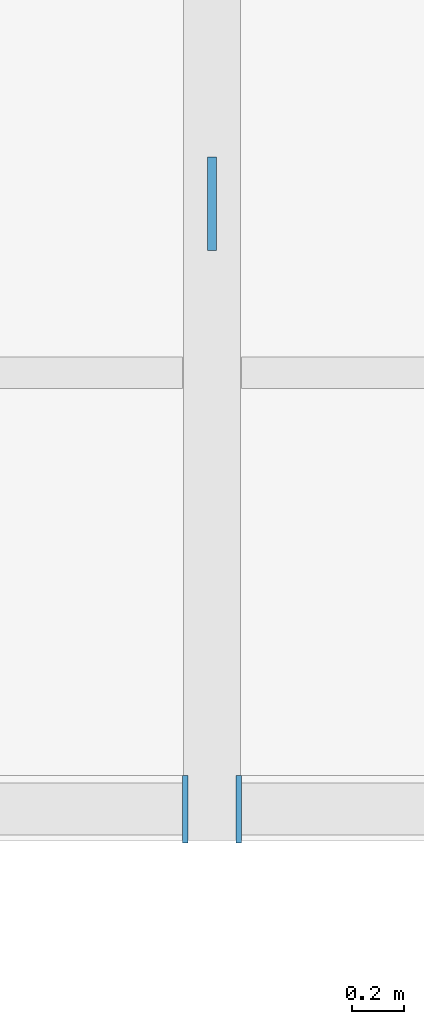
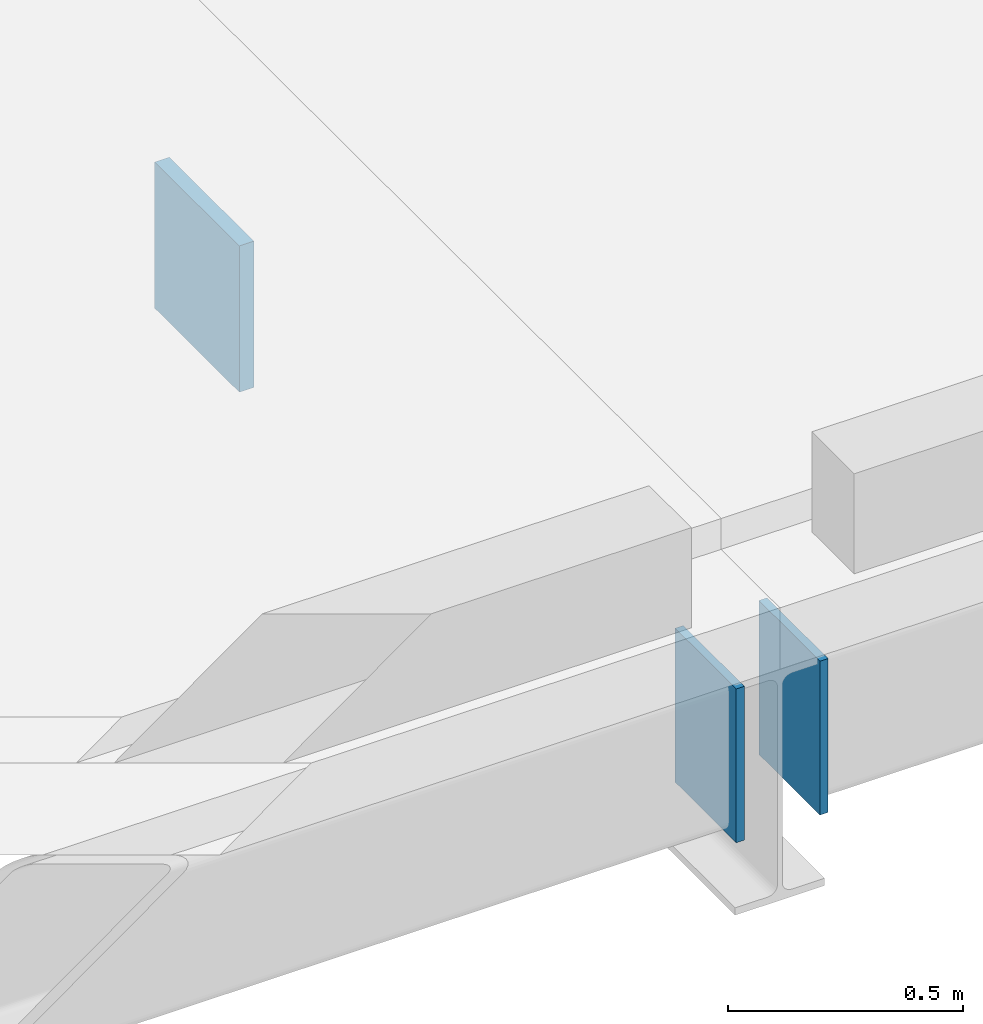
# One storey, part 129 of 159: 3 plates.
"""IFC4 building model written with IfcOpenShell, lengths in metres."""

from ifc_helpers import new_model, si_unit, direction, frame, origin, origin_2d, place, context, subcontext, project, spatial, rectangle, extrude, material, layer, layer_set, type_object, element, save


model = new_model("IFC4")

# Units and contexts
model_context = context("Model", 3, precision=1e-05, world=origin(), true_north=direction((0.0, 1.0)))
body_context = subcontext(model_context, "Body", "Model", "MODEL_VIEW")
ifc_project = project(units=[si_unit("LENGTHUNIT", "METRE"), si_unit("AREAUNIT", "SQUARE_METRE"), si_unit("VOLUMEUNIT", "CUBIC_METRE"), si_unit("PLANEANGLEUNIT", "RADIAN"), si_unit("MASSUNIT", "GRAM", prefix="KILO")], contexts=[model_context])

# Site, building, storey
site_placement = place(None, origin())
site = spatial("IfcSite", under=ifc_project, at=site_placement, CompositionType="ELEMENT")
building_placement = place(site_placement, origin())
building = spatial("IfcBuilding", under=site, at=building_placement, Name="Merenkruunu Market Hall", CompositionType="ELEMENT")
storey_placement = place(building_placement, frame((0.0, 0.0, 5.39990234375)))
storey = spatial("IfcBuildingStorey", under=building, at=storey_placement, Name="L01", CompositionType="ELEMENT", Elevation=5.39990234375)

# Plates
ifc_material = material(Name="Steel S355ML", Category="steel")
ifc_layer_1 = layer(ifc_material, 0.02001953125)
ifc_layer_set_1 = layer_set([ifc_layer_1], Name="Steel S355ML")
plate_type_1 = type_object("IfcPlateType", Name="Truss Gusset Or Cap Plate CP07", PredefinedType="USERDEFINED", material=ifc_layer_set_1)
for number, where, z_axis, x_axis, name in (
    (1, (57.4970703125, 0.1201171875, 0.03515625), (0.0, 0.0, 1.0), (1.0, 0.0, 0.0), "PLT-V6-ENDCAP-12"),
    (2, (57.702880859375, 0.1201171875, 0.03515625), (0.0, 0.0, 1.0), (1.0, 0.0, 0.0), "PLT-V6-ENDCAP-13"),
):
    element("IfcPlate", number, at=place(storey_placement, frame(where, z_axis=z_axis, x_axis=x_axis)), inside=storey, type_object=plate_type_1, Name=name, ObjectType="GUSSET_PLATE", PredefinedType="USERDEFINED", context=body_context, shape_type="SweptSolid", body=[
        extrude(rectangle(XDim=0.02001953125, YDim=0.260009765625, at=origin_2d()), origin(), (0.0, 0.0, 1.0), 0.39990234375),
    ])
ifc_layer_2 = layer(ifc_material, 0.035888671875)
ifc_layer_set_2 = layer_set([ifc_layer_2], Name="Steel S355ML")
plate_type_2 = type_object("IfcPlateType", Name="Truss Gusset Or Cap Plate CP08", PredefinedType="USERDEFINED", material=ifc_layer_set_2)
plate_placement = place(storey_placement, frame((57.60009765625, 2.449951171875, -0.2099609375), z_axis=(0.0, 0.0, 1.0), x_axis=(1.0, 0.0, 0.0)))
element("IfcPlate", 3, at=plate_placement, inside=storey, type_object=plate_type_2, Name="PLT-V6-STRUT-058-B", ObjectType="GUSSET_PLATE", PredefinedType="USERDEFINED", context=body_context, shape_type="SweptSolid", body=[
    extrude(rectangle(XDim=0.035888671875, YDim=0.360107421875, at=origin_2d()), origin(), (0.0, 0.0, 1.0), 0.3798828125),
])

save(model, "model.ifc")
